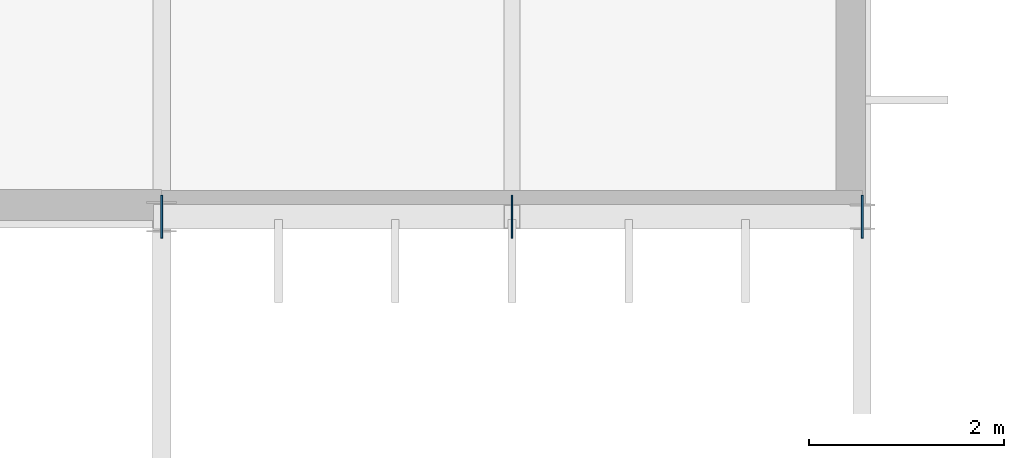
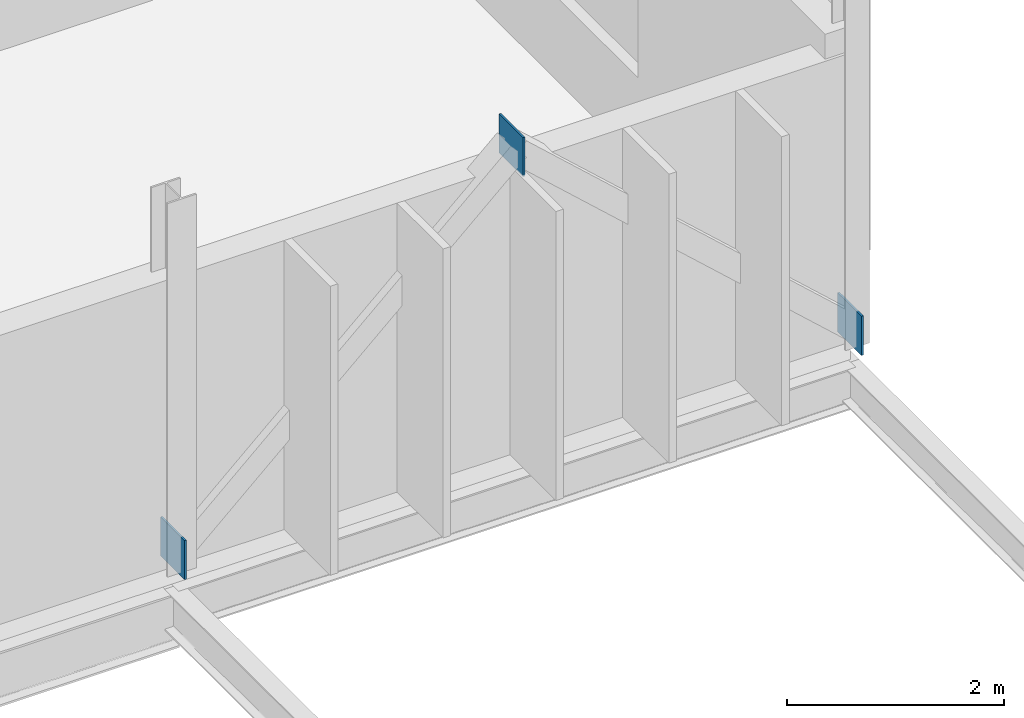
# One storey, part 89 of 119: 3 plates.
"""IFC4 building model written with IfcOpenShell, lengths in metres."""

from ifc_helpers import new_model, si_unit, direction, frame, origin, origin_2d, place, context, subcontext, project, spatial, rectangle, extrude, material, layer, layer_set, type_object, element, save


model = new_model("IFC4")

# Units and contexts
model_context = context("Model", 3, precision=1e-05, world=origin(), true_north=direction((0.0, 1.0)))
body_context = subcontext(model_context, "Body", "Model", "MODEL_VIEW")
ifc_project = project(units=[si_unit("LENGTHUNIT", "METRE"), si_unit("AREAUNIT", "SQUARE_METRE"), si_unit("VOLUMEUNIT", "CUBIC_METRE"), si_unit("PLANEANGLEUNIT", "RADIAN"), si_unit("MASSUNIT", "GRAM", prefix="KILO")], contexts=[model_context])

# Site, building, storey
site_placement = place(None, origin())
site = spatial("IfcSite", under=ifc_project, at=site_placement, CompositionType="ELEMENT")
building_placement = place(site_placement, origin())
building = spatial("IfcBuilding", under=site, at=building_placement, Name="Qelthora Terrace Specialist Clinic", CompositionType="ELEMENT")
storey_placement = place(building_placement, frame((0.0, 0.0, 4.800048828125)))
storey = spatial("IfcBuildingStorey", under=building, at=storey_placement, Name="L01", CompositionType="ELEMENT", Elevation=4.800048828125)

# Plates
ifc_material = material(Name="Steel S355", Category="steel")
ifc_layer = layer(ifc_material, 0.02001953125)
ifc_layer_set = layer_set([ifc_layer], Name="Steel S355")
plate_type = type_object("IfcPlateType", Name="PLT-GUS-480X480X20", PredefinedType="USERDEFINED", material=ifc_layer_set)
for number, where, z_axis, x_axis, name in (
    (1, (151.199951171875, 33.60009765625, -0.0400390625), (0.0, 0.0, 1.0), (1.0, 0.0, 0.0), "Steel truss node plate GPLT-0164"),
    (2, (154.800048828125, 33.60009765625, 3.22998046875), (0.0, 0.0, 1.0), (1.0, 0.0, 0.0), "Steel truss node plate GPLT-0165"),
    (3, (158.39990234375, 33.60009765625, -0.0400390625), (0.0, 0.0, 1.0), (1.0, 0.0, 0.0), "Steel truss node plate GPLT-0166"),
):
    element("IfcPlate", number, at=place(storey_placement, frame(where, z_axis=z_axis, x_axis=x_axis)), inside=storey, type_object=plate_type, Name=name, ObjectType="GUSSET PLATE", PredefinedType="USERDEFINED", context=body_context, shape_type="SweptSolid", body=[
        extrude(rectangle(XDim=0.02001953125, YDim=0.43994140625, at=origin_2d()), origin(), (0.0, 0.0, 1.0), 0.43994140625),
    ])

save(model, "model.ifc")
